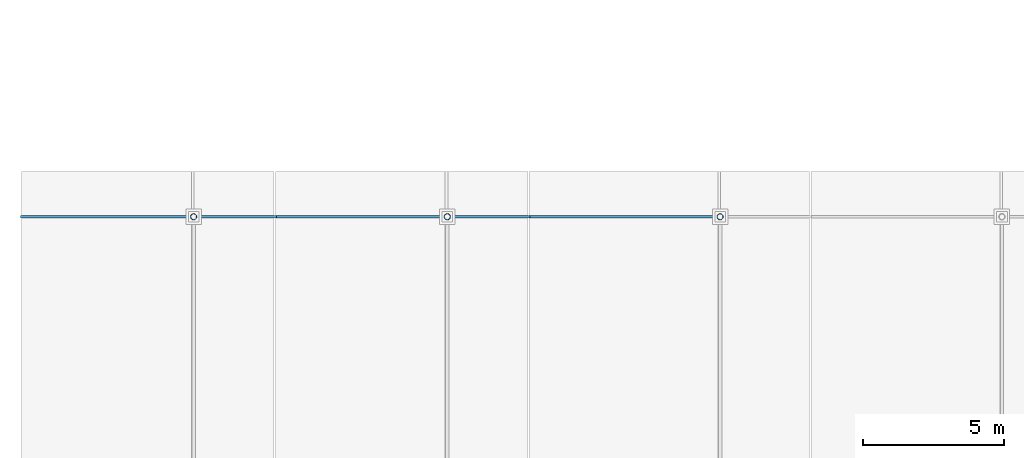
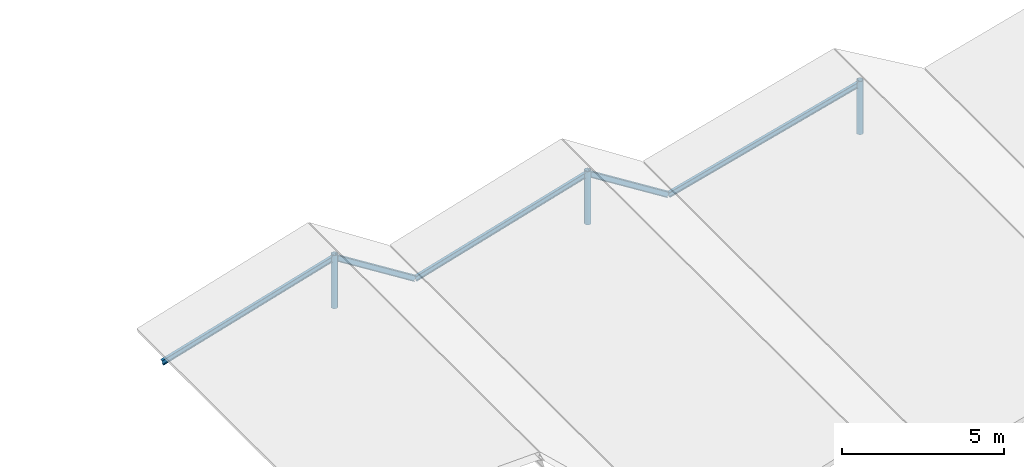
# One storey, part 4 of 70: 5 beams, 3 members.
"""IFC4 building model written with IfcOpenShell, lengths in metres."""

from ifc_helpers import new_model, si_unit, direction, frame, origin, origin_2d, place, context, subcontext, project, spatial, hollow_circle, i_section, extrude, material, material_profile, profile_set, type_object, element, save


model = new_model("IFC4")

# Units and contexts
model_context = context("Model", 3, precision=1e-05, world=origin(), true_north=direction((0.0, 1.0)))
body_context = subcontext(model_context, "Body", "Model", "MODEL_VIEW")
ifc_project = project(units=[si_unit("LENGTHUNIT", "METRE"), si_unit("AREAUNIT", "SQUARE_METRE"), si_unit("VOLUMEUNIT", "CUBIC_METRE"), si_unit("PLANEANGLEUNIT", "RADIAN"), si_unit("MASSUNIT", "GRAM", prefix="KILO")], contexts=[model_context])

# Site, building, storey
site_placement = place(None, origin())
site = spatial("IfcSite", under=ifc_project, at=site_placement, CompositionType="ELEMENT")
building_placement = place(site_placement, origin())
building = spatial("IfcBuilding", under=site, at=building_placement, Name="Zimvara Arc Housing Community", CompositionType="ELEMENT")
storey_placement = place(building_placement, frame((0.0, 0.0, 8.10009765625)))
storey = spatial("IfcBuildingStorey", under=building, at=storey_placement, Name="L02", CompositionType="ELEMENT", Elevation=8.10009765625)

# Beams
ifc_material_1 = material(Name="Steel S355", Category="steel")
ifc_material_profile_1 = material_profile(ifc_material_1, i_section(OverallWidth=0.10009765625, OverallDepth=0.199951171875, WebThickness=0.005615234375, FlangeThickness=0.008544921875, FilletRadius=0.011962890625, at=origin_2d()), Name="IPE 200")
ifc_profile_set_1 = profile_set([ifc_material_profile_1], Name="Steel S355")
beam_type = type_object("IfcBeamType", Name="BM-ST-IPE200", PredefinedType="JOIST", material=ifc_profile_set_1)
beam_1_placement = place(storey_placement, frame((0.0, 19.60009765625, -0.690185546875), z_axis=(0.958939237971, 0.0, 0.283611596869), x_axis=(0.0, 1.0, 0.0)))
element("IfcBeam", 1, at=beam_1_placement, inside=storey, type_object=beam_type, Name="bm:shops:L02:raf_w:b0:y1", PredefinedType="JOIST", context=body_context, shape_type="SweptSolid", body=[
    extrude(i_section(OverallWidth=0.10009765625, OverallDepth=0.199951171875, WebThickness=0.005615234375, FlangeThickness=0.008544921875, FilletRadius=0.011962890625, at=origin_2d()), origin(), (0.0, 0.0, 1.0), 6.382080078125),
])
beam_2_placement = place(storey_placement, frame((6.1201171875, 19.60009765625, 1.119873046875), z_axis=(0.846656875719, 0.0, -0.532139206221), x_axis=(0.0, 1.0, 0.0)))
element("IfcBeam", 2, at=beam_2_placement, inside=storey, type_object=beam_type, Name="bm:shops:L02:raf_e:b0:y1", PredefinedType="JOIST", context=body_context, shape_type="SweptSolid", body=[
    extrude(i_section(OverallWidth=0.10009765625, OverallDepth=0.199951171875, WebThickness=0.005615234375, FlangeThickness=0.008544921875, FilletRadius=0.011962890625, at=origin_2d()), origin(), (0.0, 0.0, 1.0), 3.4013671875),
])
beam_3_placement = place(storey_placement, frame((9.0, 19.60009765625, -0.690185546875), z_axis=(0.958939237971, 0.0, 0.283611596869), x_axis=(0.0, 1.0, 0.0)))
element("IfcBeam", 3, at=beam_3_placement, inside=storey, type_object=beam_type, Name="bm:shops:L02:raf_w:b1:y1", PredefinedType="JOIST", context=body_context, shape_type="SweptSolid", body=[
    extrude(i_section(OverallWidth=0.10009765625, OverallDepth=0.199951171875, WebThickness=0.005615234375, FlangeThickness=0.008544921875, FilletRadius=0.011962890625, at=origin_2d()), origin(), (0.0, 0.0, 1.0), 6.382080078125),
])
beam_4_placement = place(storey_placement, frame((15.1201171875, 19.60009765625, 1.119873046875), z_axis=(0.846656875719, 0.0, -0.532139206221), x_axis=(0.0, 1.0, 0.0)))
element("IfcBeam", 4, at=beam_4_placement, inside=storey, type_object=beam_type, Name="bm:shops:L02:raf_e:b1:y1", PredefinedType="JOIST", context=body_context, shape_type="SweptSolid", body=[
    extrude(i_section(OverallWidth=0.10009765625, OverallDepth=0.199951171875, WebThickness=0.005615234375, FlangeThickness=0.008544921875, FilletRadius=0.011962890625, at=origin_2d()), origin(), (0.0, 0.0, 1.0), 3.4013671875),
])
beam_5_placement = place(storey_placement, frame((18.0, 19.60009765625, -0.690185546875), z_axis=(0.966351161922, 0.0, 0.257226421373), x_axis=(0.0, 1.0, 0.0)))
element("IfcBeam", 5, at=beam_5_placement, inside=storey, type_object=beam_type, Name="bm:shops:L02:raf_w:b2:y1", PredefinedType="JOIST", context=body_context, shape_type="SweptSolid", body=[
    extrude(i_section(OverallWidth=0.10009765625, OverallDepth=0.199951171875, WebThickness=0.005615234375, FlangeThickness=0.008544921875, FilletRadius=0.011962890625, at=origin_2d()), origin(), (0.0, 0.0, 1.0), 7.036865234375),
])

# Members
ifc_material_2 = material(Name="Steel S355", Category="steel")
ifc_material_profile_2 = material_profile(ifc_material_2, hollow_circle(Radius=0.109619140625, WallThickness=0.008056640625, at=origin_2d()), Name="CHS 219.1x8.0")
ifc_profile_set_2 = profile_set([ifc_material_profile_2], Name="Steel S355")
member_type = type_object("IfcMemberType", Name="MB-STRUT-CHS219", PredefinedType="STRUT", material=ifc_profile_set_2)
for number, where, z_axis, x_axis, name in (
    (6, (6.1201171875, 19.60009765625, -0.75), (0.0, 0.0, 1.0), (1.0, 0.0, 0.0), "mb:shops:L02:crest_strut:b0:y1"),
    (7, (15.1201171875, 19.60009765625, -0.75), (0.0, 0.0, 1.0), (1.0, 0.0, 0.0), "mb:shops:L02:crest_strut:b1:y1"),
    (8, (24.800048828125, 19.60009765625, -0.75), (0.0, 0.0, 1.0), (1.0, 0.0, 0.0), "mb:shops:L02:crest_strut:b2:y1"),
):
    element("IfcMember", number, at=place(storey_placement, frame(where, z_axis=z_axis, x_axis=x_axis)), inside=storey, type_object=member_type, Name=name, PredefinedType="STRUT", context=body_context, shape_type="SweptSolid", body=[
        extrude(hollow_circle(Radius=0.109619140625, WallThickness=0.008056640625, at=origin_2d()), origin(), (0.0, 0.0, 1.0), 2.0),
    ])

save(model, "model.ifc")
